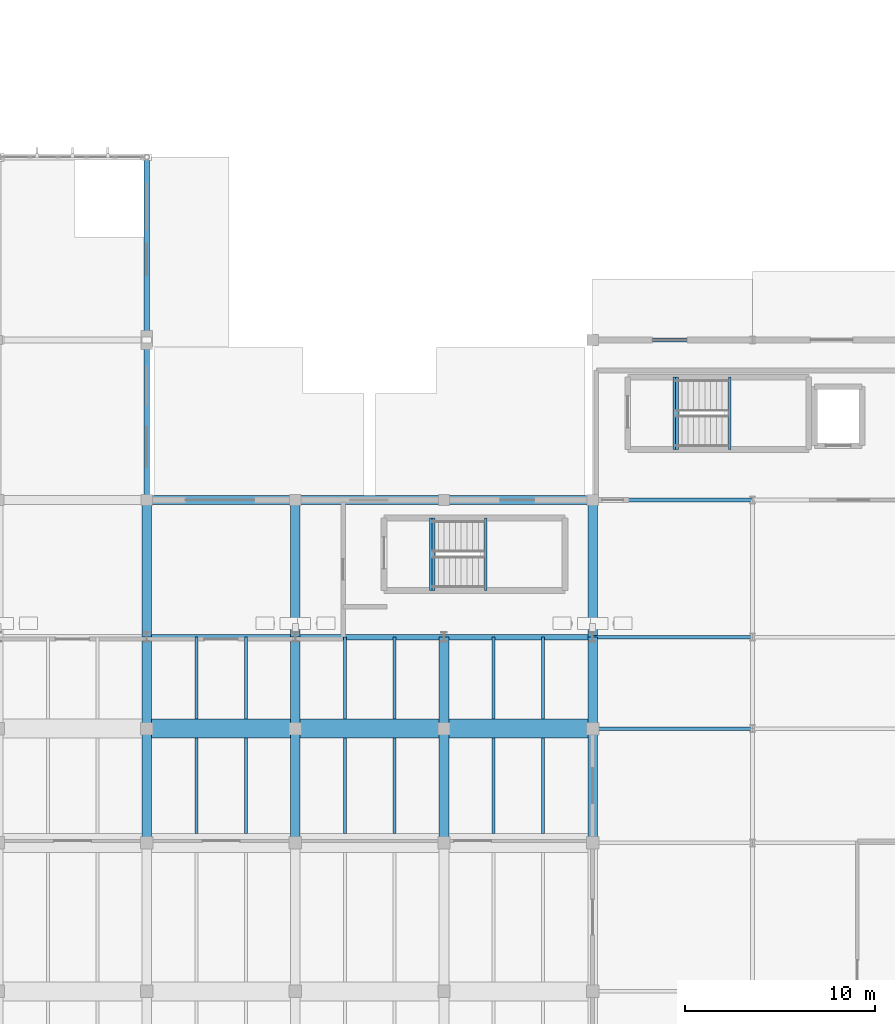
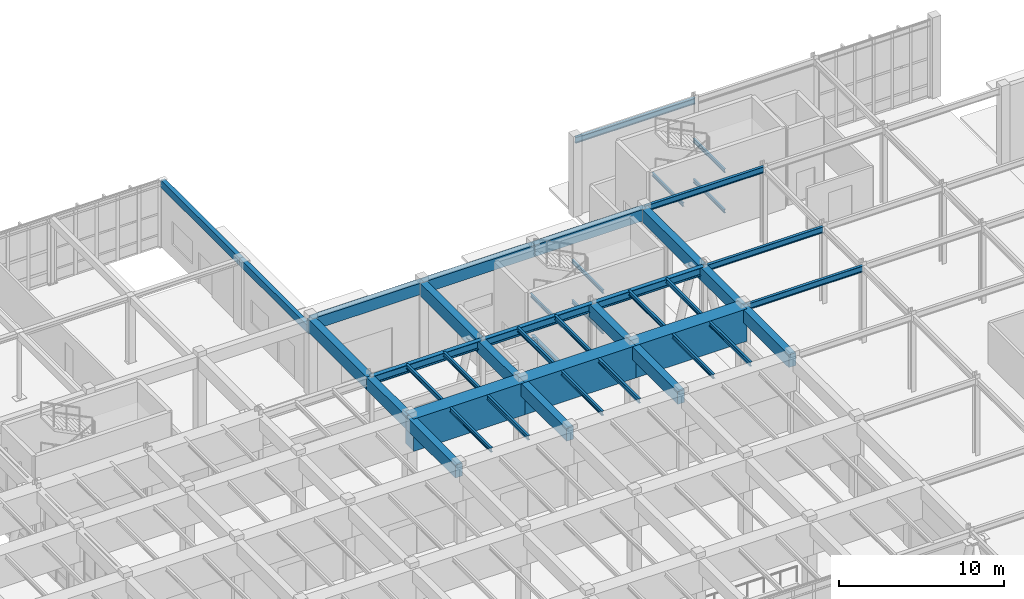
# One storey, part 43 of 110: 46 beams.
"""IFC4 building model written with IfcOpenShell, lengths in metres."""

import ifcopenshell
import ifcopenshell.guid

model = None  # the IFC model being written
_history = None  # IfcOwnerHistory: only IFC2X3 demands one
_inside = {}  # id of a spatial element -> (the spatial element, [elements in it])
_under = {}  # id of a project, library or spatial element -> (it, [spatial elements below it])
_declared = {}  # id of a project -> (the project, [libraries it declares])
_typed = {}  # id of a type object -> (the type object, [elements of that type])
_made_of = {}  # id of a material, layer set ... -> (it, [elements and type objects made of it])


def new_model(schema):
    """Start an empty IFC model of exactly this schema.

    Asked for "IFC4X3", IfcOpenShell would pick the latest addendum, in which some entities
    have other attributes; the version numbers below select the first issue.
    IFC2X3 requires an IfcOwnerHistory on every rooted entity: one is made here for all.
    """
    global model, _history
    if schema == "IFC4X3":
        model = ifcopenshell.file(schema_version=(4, 3, 0, 0))
    else:
        model = ifcopenshell.file(schema=schema)
    _inside.clear()
    _under.clear()
    _declared.clear()
    _typed.clear()
    _made_of.clear()
    _history = None
    if model.schema == "IFC2X3":
        org = make("IfcOrganization", Name="unknown")
        user = make(
            "IfcPersonAndOrganization",
            ThePerson=make("IfcPerson", FamilyName="unknown"),
            TheOrganization=org,
        )
        app = make(
            "IfcApplication",
            ApplicationDeveloper=org,
            Version="unknown",
            ApplicationFullName="unknown",
            ApplicationIdentifier="unknown",
        )
        _history = make(
            "IfcOwnerHistory",
            OwningUser=user,
            OwningApplication=app,
            ChangeAction="ADDED",
            CreationDate=0,
        )
    return model


def make(cls, **values):
    """One entity of the class cls with the attributes given. An attribute that is None is left unset."""
    return model.create_entity(
        cls, **{name: value for name, value in values.items() if value is not None}
    )


def rooted(cls, **values):
    """An entity with a GlobalId (a new one), such as an element, a storey or a relation."""
    return make(cls, GlobalId=ifcopenshell.guid.new(), OwnerHistory=_history, **values)


def si_unit(unit_type, name, prefix=None):
    """IfcSIUnit, for example si_unit("LENGTHUNIT", "METRE", prefix="MILLI")."""
    return make("IfcSIUnit", UnitType=unit_type, Prefix=prefix, Name=name)


def assignment(units):
    """IfcUnitAssignment: the units of a project."""
    return None if units is None else make("IfcUnitAssignment", Units=units)


def point(xyz):
    """IfcCartesianPoint."""
    return None if xyz is None else make("IfcCartesianPoint", Coordinates=xyz)


def direction(xyz):
    """IfcDirection."""
    return None if xyz is None else make("IfcDirection", DirectionRatios=xyz)


def frame(location, z_axis=None, x_axis=None):
    """IfcAxis2Placement3D, a coordinate frame: its origin and axes. An axis left out is left unset."""
    return make(
        "IfcAxis2Placement3D",
        Location=point(location),
        Axis=direction(z_axis),
        RefDirection=direction(x_axis),
    )


def frame_2d(location, x_axis=None):
    """IfcAxis2Placement2D, a coordinate frame in the plane: its origin and x axis."""
    return make(
        "IfcAxis2Placement2D", Location=point(location), RefDirection=direction(x_axis)
    )


def origin():
    """The frame at (0, 0, 0) with its axes left unset."""
    return frame((0.0, 0.0, 0.0))


def origin_2d():
    """The frame at (0, 0) in the plane with its x axis left unset."""
    return frame_2d((0.0, 0.0))


def place(relative_to, where):
    """IfcLocalPlacement: puts the frame where relative to a parent placement (None: the world)."""
    return make(
        "IfcLocalPlacement", PlacementRelTo=relative_to, RelativePlacement=where
    )


def context(
    kind, dimensions, precision=None, world=None, true_north=None, identifier=None
):
    """IfcGeometricRepresentationContext, for example the 3D "Model" context."""
    return make(
        "IfcGeometricRepresentationContext",
        ContextIdentifier=identifier,
        ContextType=kind,
        CoordinateSpaceDimension=dimensions,
        Precision=precision,
        WorldCoordinateSystem=world,
        TrueNorth=true_north,
    )


def subcontext(parent, identifier, kind, view, scale=None):
    """IfcGeometricRepresentationSubContext, for example "Body" below "Model"."""
    return make(
        "IfcGeometricRepresentationSubContext",
        ContextIdentifier=identifier,
        ContextType=kind,
        ParentContext=parent,
        TargetScale=scale,
        TargetView=view,
    )


def project(units=None, contexts=None):
    """IfcProject with its units and contexts."""
    return rooted(
        "IfcProject",
        Name="project",
        RepresentationContexts=contexts,
        UnitsInContext=assignment(units),
    )


def spatial(cls, under=None, at=None, **own):
    """A site, building, storey or space (cls), placed at a placement, below another one or the project."""
    s = rooted(cls, ObjectPlacement=at, **own)
    if under is not None:
        _under.setdefault(under.id(), (under, []))[1].append(s)
    return s


def profile(cls, at=None, kind="AREA", **sizes):
    """A parametric profile (cls). Its sizes go by their IFC names, for example OverallWidth=200.0."""
    return make(cls, ProfileType=kind, Position=at, **sizes)


def rectangle(**sizes):
    """IfcRectangleProfileDef."""
    return profile("IfcRectangleProfileDef", **sizes)


def i_section(**sizes):
    """IfcIShapeProfileDef."""
    return profile("IfcIShapeProfileDef", **sizes)


def extrude(swept, where, along, depth):
    """IfcExtrudedAreaSolid: the profile swept, set in the frame where, extruded along a direction by depth."""
    return make(
        "IfcExtrudedAreaSolid",
        SweptArea=swept,
        Position=where,
        ExtrudedDirection=direction(along),
        Depth=depth,
    )


def shape(context_of_items, identifier, shape_type, items):
    """IfcShapeRepresentation: the items that make up one representation, for example the "Body"."""
    return make(
        "IfcShapeRepresentation",
        ContextOfItems=context_of_items,
        RepresentationIdentifier=identifier,
        RepresentationType=shape_type,
        Items=items,
    )


def material(Name=None, Category=None):
    """IfcMaterial."""
    return make("IfcMaterial", Name=Name, Category=Category)


def material_profile(
    of_material, cross_section, Name=None, Category=None, Priority=None
):
    """IfcMaterialProfile: a cross section and its material."""
    return make(
        "IfcMaterialProfile",
        Name=Name,
        Material=of_material,
        Profile=cross_section,
        Priority=Priority,
        Category=Category,
    )


def profile_set(profiles, Name=None, composite=None):
    """IfcMaterialProfileSet."""
    return make(
        "IfcMaterialProfileSet",
        Name=Name,
        MaterialProfiles=profiles,
        CompositeProfile=composite,
    )


def made_of(thing, what):
    """Note that an element or type object is made of a material, layer set ...; save() writes the relation."""
    if what is not None:
        _made_of.setdefault(what.id(), (what, []))[1].append(thing)
    return thing


def type_object(cls, material=None, **own):
    """A type object (cls), such as IfcWallType, which elements share."""
    return made_of(rooted(cls, **own), material)


def element(
    cls,
    number,
    at=None,
    inside=None,
    cuts=None,
    type_object=None,
    material=None,
    context=None,
    identifier="Body",
    shape_type=None,
    held_by="IfcProductDefinitionShape",
    body=None,
    shapes=None,
    **own,
):
    """One element of the class cls, such as IfcWall. Its Tag is "e" and its number.

    at: its placement. inside: the storey or other place that contains it. cuts: it is an
    opening in that element (IfcRelVoidsElement). A single representation is given by context,
    identifier, shape_type and body (its items); several are given by shapes. held_by: the class
    of the entity that holds the representations. save() writes the other relations.
    """
    e = rooted(cls, Tag="e%d" % number, ObjectPlacement=at, **own)
    if body is not None:
        shapes = [shape(context, identifier, shape_type, body)]
    if shapes is not None:
        e.Representation = make(held_by, Representations=shapes)
    if inside is not None:
        _inside.setdefault(inside.id(), (inside, []))[1].append(e)
    if cuts is not None:
        rooted(
            "IfcRelVoidsElement", RelatingBuildingElement=cuts, RelatedOpeningElement=e
        )
    if type_object is not None:
        _typed.setdefault(type_object.id(), (type_object, []))[1].append(e)
    return made_of(e, material)


def aggregate(whole, parts):
    """IfcRelAggregates: a whole, such as a stair, and the parts it consists of."""
    return rooted("IfcRelAggregates", RelatingObject=whole, RelatedObjects=parts)


def save(model, path):
    """Write the relations noted so far, then the file.

    IfcRelAggregates (storeys below a building ...), IfcRelContainedInSpatialStructure (elements
    in a storey), IfcRelDefinesByType, IfcRelAssociatesMaterial and IfcRelDeclares: one each for
    every whole, place, type object, material and project.
    """
    for whole, parts in _under.values():
        aggregate(whole, parts)
    for where, things in _inside.values():
        rooted(
            "IfcRelContainedInSpatialStructure",
            RelatedElements=things,
            RelatingStructure=where,
        )
    for kind, things in _typed.values():
        rooted("IfcRelDefinesByType", RelatedObjects=things, RelatingType=kind)
    for what, things in _made_of.values():
        rooted("IfcRelAssociatesMaterial", RelatedObjects=things, RelatingMaterial=what)
    for by, libraries in _declared.values():
        rooted("IfcRelDeclares", RelatingContext=by, RelatedDefinitions=libraries)
    model.write(path)


model = new_model("IFC4")

# Units and contexts
model_context = context("Model", 3, precision=1e-05, world=origin(), true_north=direction((0.0, 1.0)))
body_context = subcontext(model_context, "Body", "Model", "MODEL_VIEW")
ifc_project = project(units=[si_unit("LENGTHUNIT", "METRE"), si_unit("AREAUNIT", "SQUARE_METRE"), si_unit("VOLUMEUNIT", "CUBIC_METRE"), si_unit("PLANEANGLEUNIT", "RADIAN"), si_unit("MASSUNIT", "GRAM", prefix="KILO")], contexts=[model_context])

# Site, building, storey
site_placement = place(None, origin())
site = spatial("IfcSite", under=ifc_project, at=site_placement, CompositionType="ELEMENT")
building_placement = place(site_placement, origin())
building = spatial("IfcBuilding", under=site, at=building_placement, Name="Tizgana Railside Sports Hall", CompositionType="ELEMENT")
storey_placement = place(building_placement, origin())
storey = spatial("IfcBuildingStorey", under=building, at=storey_placement, Name="L00", CompositionType="ELEMENT", Elevation=0.0)

# Beams
ifc_material_1 = material(Name="Concrete C35/45", Category="concrete")
ifc_material_profile_1 = material_profile(ifc_material_1, rectangle(XDim=0.300048828125, YDim=0.550048828125, at=origin_2d()), Name="RCB 300x550")
ifc_profile_set_1 = profile_set([ifc_material_profile_1], Name="Concrete C35/45")
beam_type_1 = type_object("IfcBeamType", Name="Concrete Beam RCB 300x550", PredefinedType="BEAM", material=ifc_profile_set_1)
beam_1_placement = place(storey_placement, frame((31.199951171875, 80.39990234375, 4.680908203125), z_axis=(0.0, 1.0, 0.0), x_axis=(-1.0, 0.0, 0.0)))
element("IfcBeam", 1, at=beam_1_placement, inside=storey, type_object=beam_type_1, Name="L00 BEM-1313", PredefinedType="BEAM", context=body_context, shape_type="SweptSolid", body=[
    extrude(rectangle(XDim=0.300048828125, YDim=0.550048828125, at=origin_2d()), origin(), (0.0, 0.0, 1.0), 8.400146484375),
])
beam_2_placement = place(storey_placement, frame((31.199951171875, 88.800048828125, 4.680908203125), z_axis=(0.0, 1.0, 0.0), x_axis=(-1.0, 0.0, 0.0)))
element("IfcBeam", 2, at=beam_2_placement, inside=storey, type_object=beam_type_1, Name="L00 BEM-1315", PredefinedType="BEAM", context=body_context, shape_type="SweptSolid", body=[
    extrude(rectangle(XDim=0.300048828125, YDim=0.550048828125, at=origin_2d()), origin(), (0.0, 0.0, 1.0), 9.599853515625),
])
ifc_material_2 = material(Name="Concrete C40/50", Category="concrete")
ifc_material_profile_2 = material_profile(ifc_material_2, rectangle(XDim=0.449951171875, YDim=0.85009765625, at=origin_2d()), Name="RCB 450x850")
ifc_profile_set_2 = profile_set([ifc_material_profile_2], Name="Concrete C40/50")
beam_type_2 = type_object("IfcBeamType", Name="Concrete Beam RCB 450x850", PredefinedType="BEAM", material=ifc_profile_set_2)
for number, where, z_axis, x_axis, name in (
    (3, (31.199951171875, 80.39990234375, 5.2109375), (1.0, 0.0, 0.0), (0.0, 1.0, 0.0), "L00 BEM-0130"),
    (4, (39.0, 80.39990234375, 5.2109375), (1.0, 0.0, 0.0), (0.0, 1.0, 0.0), "L00 BEM-0131"),
    (5, (46.800048828125, 80.39990234375, 5.2109375), (1.0, 0.0, 0.0), (0.0, 1.0, 0.0), "L00 BEM-0132"),
):
    element("IfcBeam", number, at=place(storey_placement, frame(where, z_axis=z_axis, x_axis=x_axis)), inside=storey, type_object=beam_type_2, Name=name, PredefinedType="BEAM", context=body_context, shape_type="SweptSolid", body=[
        extrude(rectangle(XDim=0.449951171875, YDim=0.85009765625, at=origin_2d()), origin(), (0.0, 0.0, 1.0), 7.800048828125),
    ])
ifc_material_profile_3 = material_profile(ifc_material_2, rectangle(XDim=0.5, YDim=0.949951171875, at=origin_2d()), Name="RCB 500x950")
ifc_profile_set_3 = profile_set([ifc_material_profile_3], Name="Concrete C40/50")
beam_type_3 = type_object("IfcBeamType", Name="Concrete Beam RCB 500x950", PredefinedType="BEAM", material=ifc_profile_set_3)
beam_3_placement = place(storey_placement, frame((31.199951171875, 62.39990234375, 5.160888671875), z_axis=(0.0, 1.0, 0.0), x_axis=(-1.0, 0.0, 0.0)))
element("IfcBeam", 6, at=beam_3_placement, inside=storey, type_object=beam_type_3, Name="L00 BEM-0158", PredefinedType="BEAM", context=body_context, shape_type="SweptSolid", body=[
    extrude(rectangle(XDim=0.5, YDim=0.949951171875, at=origin_2d()), origin(), (0.0, 0.0, 1.0), 6.0),
])
beam_4_placement = place(storey_placement, frame((31.199951171875, 68.39990234375, 5.160888671875), z_axis=(0.0, 1.0, 0.0), x_axis=(-1.0, 0.0, 0.0)))
element("IfcBeam", 7, at=beam_4_placement, inside=storey, type_object=beam_type_3, Name="L00 BEM-0159", PredefinedType="BEAM", context=body_context, shape_type="SweptSolid", body=[
    extrude(rectangle(XDim=0.5, YDim=0.949951171875, at=origin_2d()), origin(), (0.0, 0.0, 1.0), 4.800048828125),
])
beam_5_placement = place(storey_placement, frame((31.199951171875, 73.199951171875, 5.160888671875), z_axis=(0.0, 1.0, 0.0), x_axis=(-1.0, 0.0, 0.0)))
element("IfcBeam", 8, at=beam_5_placement, inside=storey, type_object=beam_type_3, Name="L00 BEM-0160", PredefinedType="BEAM", context=body_context, shape_type="SweptSolid", body=[
    extrude(rectangle(XDim=0.5, YDim=0.949951171875, at=origin_2d()), origin(), (0.0, 0.0, 1.0), 7.199951171875),
])
beam_6_placement = place(storey_placement, frame((39.0, 62.39990234375, 5.160888671875), z_axis=(0.0, 1.0, 0.0), x_axis=(-1.0, 0.0, 0.0)))
element("IfcBeam", 9, at=beam_6_placement, inside=storey, type_object=beam_type_3, Name="L00 BEM-0164", PredefinedType="BEAM", context=body_context, shape_type="SweptSolid", body=[
    extrude(rectangle(XDim=0.5, YDim=0.949951171875, at=origin_2d()), origin(), (0.0, 0.0, 1.0), 6.0),
])
beam_7_placement = place(storey_placement, frame((39.0, 68.39990234375, 5.160888671875), z_axis=(0.0, 1.0, 0.0), x_axis=(-1.0, 0.0, 0.0)))
element("IfcBeam", 10, at=beam_7_placement, inside=storey, type_object=beam_type_3, Name="L00 BEM-0165", PredefinedType="BEAM", context=body_context, shape_type="SweptSolid", body=[
    extrude(rectangle(XDim=0.5, YDim=0.949951171875, at=origin_2d()), origin(), (0.0, 0.0, 1.0), 4.800048828125),
])
beam_8_placement = place(storey_placement, frame((39.0, 73.199951171875, 5.160888671875), z_axis=(0.0, 1.0, 0.0), x_axis=(-1.0, 0.0, 0.0)))
element("IfcBeam", 11, at=beam_8_placement, inside=storey, type_object=beam_type_3, Name="L00 BEM-0166", PredefinedType="BEAM", context=body_context, shape_type="SweptSolid", body=[
    extrude(rectangle(XDim=0.5, YDim=0.949951171875, at=origin_2d()), origin(), (0.0, 0.0, 1.0), 7.199951171875),
])
beam_9_placement = place(storey_placement, frame((46.800048828125, 62.39990234375, 5.160888671875), z_axis=(0.0, 1.0, 0.0), x_axis=(-1.0, 0.0, 0.0)))
element("IfcBeam", 12, at=beam_9_placement, inside=storey, type_object=beam_type_3, Name="L00 BEM-0170", PredefinedType="BEAM", context=body_context, shape_type="SweptSolid", body=[
    extrude(rectangle(XDim=0.5, YDim=0.949951171875, at=origin_2d()), origin(), (0.0, 0.0, 1.0), 6.0),
])
beam_10_placement = place(storey_placement, frame((46.800048828125, 68.39990234375, 5.160888671875), z_axis=(0.0, 1.0, 0.0), x_axis=(-1.0, 0.0, 0.0)))
element("IfcBeam", 13, at=beam_10_placement, inside=storey, type_object=beam_type_3, Name="L00 BEM-0171", PredefinedType="BEAM", context=body_context, shape_type="SweptSolid", body=[
    extrude(rectangle(XDim=0.5, YDim=0.949951171875, at=origin_2d()), origin(), (0.0, 0.0, 1.0), 4.800048828125),
])
beam_11_placement = place(storey_placement, frame((54.60009765625, 62.39990234375, 5.160888671875), z_axis=(0.0, 1.0, 0.0), x_axis=(-1.0, 0.0, 0.0)))
element("IfcBeam", 14, at=beam_11_placement, inside=storey, type_object=beam_type_3, Name="L00 BEM-0175", PredefinedType="BEAM", context=body_context, shape_type="SweptSolid", body=[
    extrude(rectangle(XDim=0.5, YDim=0.949951171875, at=origin_2d()), origin(), (0.0, 0.0, 1.0), 6.0),
])
beam_12_placement = place(storey_placement, frame((54.60009765625, 68.39990234375, 5.160888671875), z_axis=(0.0, 1.0, 0.0), x_axis=(-1.0, 0.0, 0.0)))
element("IfcBeam", 15, at=beam_12_placement, inside=storey, type_object=beam_type_3, Name="L00 BEM-0176", PredefinedType="BEAM", context=body_context, shape_type="SweptSolid", body=[
    extrude(rectangle(XDim=0.5, YDim=0.949951171875, at=origin_2d()), origin(), (0.0, 0.0, 1.0), 4.800048828125),
])
beam_13_placement = place(storey_placement, frame((54.60009765625, 73.199951171875, 5.160888671875), z_axis=(0.0, 1.0, 0.0), x_axis=(-1.0, 0.0, 0.0)))
element("IfcBeam", 16, at=beam_13_placement, inside=storey, type_object=beam_type_3, Name="L00 BEM-0177", PredefinedType="BEAM", context=body_context, shape_type="SweptSolid", body=[
    extrude(rectangle(XDim=0.5, YDim=0.949951171875, at=origin_2d()), origin(), (0.0, 0.0, 1.0), 7.199951171875),
])
ifc_material_profile_4 = material_profile(ifc_material_2, rectangle(XDim=1.0, YDim=2.39990234375, at=origin_2d()), Name="PTG 1000x2400")
ifc_profile_set_4 = profile_set([ifc_material_profile_4], Name="Concrete C40/50")
beam_type_4 = type_object("IfcBeamType", Name="Post-Tensioned Girder PTG 1000x2400", PredefinedType="BEAM", material=ifc_profile_set_4)
for number, where, z_axis, x_axis, name in (
    (17, (31.199951171875, 68.39990234375, 4.43603515625), (1.0, 0.0, 0.0), (0.0, 1.0, 0.0), "L00 BEM-0118"),
    (18, (39.0, 68.39990234375, 4.43603515625), (1.0, 0.0, 0.0), (0.0, 1.0, 0.0), "L00 BEM-0119"),
    (19, (46.800048828125, 68.39990234375, 4.43603515625), (1.0, 0.0, 0.0), (0.0, 1.0, 0.0), "L00 BEM-0120"),
):
    element("IfcBeam", number, at=place(storey_placement, frame(where, z_axis=z_axis, x_axis=x_axis)), inside=storey, type_object=beam_type_4, Name=name, PredefinedType="BEAM", context=body_context, shape_type="SweptSolid", body=[
        extrude(rectangle(XDim=1.0, YDim=2.39990234375, at=origin_2d()), origin(), (0.0, 0.0, 1.0), 7.800048828125),
    ])
ifc_material_3 = material(Name="Steel S355J2", Category="steel")
ifc_material_profile_5 = material_profile(ifc_material_3, i_section(OverallWidth=0.1298828125, OverallDepth=0.27001953125, WebThickness=0.006591796875, FlangeThickness=0.01025390625, FilletRadius=0.014892578125, at=origin_2d()), Name="IPE 270")
ifc_profile_set_5 = profile_set([ifc_material_profile_5], Name="Steel S355J2")
beam_type_5 = type_object("IfcBeamType", Name="Stair Mid-Landing Header IPE 270", PredefinedType="JOIST", material=ifc_profile_set_5)
for number, where, z_axis, x_axis, name in (
    (20, (61.800048828125, 83.050048828125, 1.1630859375), (0.0, 1.0, 0.0), (-1.0, 0.0, 0.0), "L00 C4 Mid Header 1"),
    (21, (58.89990234375, 83.050048828125, 2.6630859375), (0.0, 1.0, 0.0), (-1.0, 0.0, 0.0), "L00 C4 Mid Header 2"),
    (22, (61.800048828125, 83.050048828125, 4.1630859375), (0.0, 1.0, 0.0), (-1.0, 0.0, 0.0), "L00 C4 Mid Header 3"),
    (23, (49.0, 75.64990234375, 1.1630859375), (0.0, 1.0, 0.0), (-1.0, 0.0, 0.0), "L00 C6 Mid Header 1"),
    (24, (46.10009765625, 75.64990234375, 2.6630859375), (0.0, 1.0, 0.0), (-1.0, 0.0, 0.0), "L00 C6 Mid Header 2"),
    (25, (49.0, 75.64990234375, 4.1630859375), (0.0, 1.0, 0.0), (-1.0, 0.0, 0.0), "L00 C6 Mid Header 3"),
):
    element("IfcBeam", number, at=place(storey_placement, frame(where, z_axis=z_axis, x_axis=x_axis)), inside=storey, type_object=beam_type_5, Name=name, PredefinedType="JOIST", context=body_context, shape_type="SweptSolid", body=[
        extrude(i_section(OverallWidth=0.1298828125, OverallDepth=0.27001953125, WebThickness=0.006591796875, FlangeThickness=0.01025390625, FilletRadius=0.014892578125, at=origin_2d()), origin(), (0.0, 0.0, 1.0), 3.800048828125),
    ])
ifc_material_profile_6 = material_profile(ifc_material_3, i_section(OverallWidth=0.239990234375, OverallDepth=0.239990234375, WebThickness=0.010009765625, FlangeThickness=0.01708984375, FilletRadius=0.02099609375, at=origin_2d()), Name="HEB 240")
ifc_profile_set_6 = profile_set([ifc_material_profile_6], Name="Steel S355J2")
beam_type_6 = type_object("IfcBeamType", Name="Steel Beam HEB 240", PredefinedType="BEAM", material=ifc_profile_set_6)
for number, where, z_axis, x_axis, name in (
    (26, (59.0, 83.050048828125, -0.44189453125), (0.0, 1.0, 0.0), (-1.0, 0.0, 0.0), "L00 C4 Landing Header"),
    (27, (46.199951171875, 75.64990234375, -0.44189453125), (0.0, 1.0, 0.0), (-1.0, 0.0, 0.0), "L00 C6 Landing Header"),
):
    element("IfcBeam", number, at=place(storey_placement, frame(where, z_axis=z_axis, x_axis=x_axis)), inside=storey, type_object=beam_type_6, Name=name, PredefinedType="BEAM", context=body_context, shape_type="SweptSolid", body=[
        extrude(i_section(OverallWidth=0.239990234375, OverallDepth=0.239990234375, WebThickness=0.010009765625, FlangeThickness=0.01708984375, FilletRadius=0.02099609375, at=origin_2d()), origin(), (0.0, 0.0, 1.0), 3.800048828125),
    ])
ifc_material_profile_7 = material_profile(ifc_material_3, i_section(OverallWidth=0.300048828125, OverallDepth=0.60009765625, WebThickness=0.015380859375, FlangeThickness=0.030029296875, FilletRadius=0.027099609375, at=origin_2d()), Name="HEB 600")
ifc_profile_set_7 = profile_set([ifc_material_profile_7], Name="Steel S355J2")
beam_type_7 = type_object("IfcBeamType", Name="Steel Beam HEB 600", PredefinedType="BEAM", material=ifc_profile_set_7)
for number, where, z_axis, x_axis, name in (
    (28, (31.199951171875, 73.199951171875, 5.3359375), (1.0, 0.0, 0.0), (0.0, 1.0, 0.0), "L00 BEM-0124"),
    (29, (39.0, 73.199951171875, 5.3359375), (1.0, 0.0, 0.0), (0.0, 1.0, 0.0), "L00 BEM-0125"),
    (30, (46.800048828125, 73.199951171875, 5.3359375), (1.0, 0.0, 0.0), (0.0, 1.0, 0.0), "L00 BEM-0126"),
):
    element("IfcBeam", number, at=place(storey_placement, frame(where, z_axis=z_axis, x_axis=x_axis)), inside=storey, type_object=beam_type_7, Name=name, PredefinedType="BEAM", context=body_context, shape_type="SweptSolid", body=[
        extrude(i_section(OverallWidth=0.300048828125, OverallDepth=0.60009765625, WebThickness=0.015380859375, FlangeThickness=0.030029296875, FilletRadius=0.027099609375, at=origin_2d()), origin(), (0.0, 0.0, 1.0), 7.800048828125),
    ])
ifc_material_profile_8 = material_profile(ifc_material_3, i_section(OverallWidth=0.18994140625, OverallDepth=0.449951171875, WebThickness=0.009521484375, FlangeThickness=0.0146484375, FilletRadius=0.02099609375, at=origin_2d()), Name="IPE 450")
ifc_profile_set_8 = profile_set([ifc_material_profile_8], Name="Steel S355J2")
beam_type_8 = type_object("IfcBeamType", Name="Steel Beam IPE 450", PredefinedType="BEAM", material=ifc_profile_set_8)
for number, where, z_axis, x_axis, name in (
    (31, (54.60009765625, 68.39990234375, 5.410888671875), (1.0, 0.0, 0.0), (0.0, 1.0, 0.0), "L00 BEM-0931"),
    (32, (54.60009765625, 73.199951171875, 5.410888671875), (1.0, 0.0, 0.0), (0.0, 1.0, 0.0), "L00 BEM-0932"),
    (33, (54.60009765625, 80.39990234375, 5.5009765625), (1.0, 0.0, 0.0), (0.0, 1.0, 0.0), "L00 BEM-0933"),
    (34, (54.60009765625, 88.800048828125, 5.5009765625), (1.0, 0.0, 0.0), (0.0, 1.0, 0.0), "L00 BEM-0934"),
):
    element("IfcBeam", number, at=place(storey_placement, frame(where, z_axis=z_axis, x_axis=x_axis)), inside=storey, type_object=beam_type_8, Name=name, PredefinedType="BEAM", context=body_context, shape_type="SweptSolid", body=[
        extrude(i_section(OverallWidth=0.18994140625, OverallDepth=0.449951171875, WebThickness=0.009521484375, FlangeThickness=0.0146484375, FilletRadius=0.02099609375, at=origin_2d()), origin(), (0.0, 0.0, 1.0), 8.39990234375),
    ])
ifc_material_profile_9 = material_profile(ifc_material_3, i_section(OverallWidth=0.159912109375, OverallDepth=0.330078125, WebThickness=0.007568359375, FlangeThickness=0.011474609375, FilletRadius=0.01806640625, at=origin_2d()), Name="IPE 330")
ifc_profile_set_9 = profile_set([ifc_material_profile_9], Name="Steel S355J2")
beam_type_9 = type_object("IfcBeamType", Name="Steel Joist IPE 330", PredefinedType="JOIST", material=ifc_profile_set_9)
beam_14_placement = place(storey_placement, frame((33.800048828125, 62.89501953125, 5.470947265625), z_axis=(0.0, 1.0, 0.0), x_axis=(-1.0, 0.0, 0.0)))
element("IfcBeam", 35, at=beam_14_placement, inside=storey, type_object=beam_type_9, Name="L00 BEM-0221", PredefinedType="JOIST", context=body_context, shape_type="SweptSolid", body=[
    extrude(i_section(OverallWidth=0.159912109375, OverallDepth=0.330078125, WebThickness=0.007568359375, FlangeThickness=0.011474609375, FilletRadius=0.01806640625, at=origin_2d()), origin(), (0.0, 0.0, 1.0), 5.010009765625),
])
beam_15_placement = place(storey_placement, frame((33.800048828125, 68.89501953125, 5.470947265625), z_axis=(0.0, 1.0, 0.0), x_axis=(-1.0, 0.0, 0.0)))
element("IfcBeam", 36, at=beam_15_placement, inside=storey, type_object=beam_type_9, Name="L00 BEM-0222", PredefinedType="JOIST", context=body_context, shape_type="SweptSolid", body=[
    extrude(i_section(OverallWidth=0.159912109375, OverallDepth=0.330078125, WebThickness=0.007568359375, FlangeThickness=0.011474609375, FilletRadius=0.01806640625, at=origin_2d()), origin(), (0.0, 0.0, 1.0), 4.304931640625),
])
beam_16_placement = place(storey_placement, frame((36.39990234375, 62.89501953125, 5.470947265625), z_axis=(0.0, 1.0, 0.0), x_axis=(-1.0, 0.0, 0.0)))
element("IfcBeam", 37, at=beam_16_placement, inside=storey, type_object=beam_type_9, Name="L00 BEM-0226", PredefinedType="JOIST", context=body_context, shape_type="SweptSolid", body=[
    extrude(i_section(OverallWidth=0.159912109375, OverallDepth=0.330078125, WebThickness=0.007568359375, FlangeThickness=0.011474609375, FilletRadius=0.01806640625, at=origin_2d()), origin(), (0.0, 0.0, 1.0), 5.010009765625),
])
beam_17_placement = place(storey_placement, frame((36.39990234375, 68.89501953125, 5.470947265625), z_axis=(0.0, 1.0, 0.0), x_axis=(-1.0, 0.0, 0.0)))
element("IfcBeam", 38, at=beam_17_placement, inside=storey, type_object=beam_type_9, Name="L00 BEM-0227", PredefinedType="JOIST", context=body_context, shape_type="SweptSolid", body=[
    extrude(i_section(OverallWidth=0.159912109375, OverallDepth=0.330078125, WebThickness=0.007568359375, FlangeThickness=0.011474609375, FilletRadius=0.01806640625, at=origin_2d()), origin(), (0.0, 0.0, 1.0), 4.304931640625),
])
beam_18_placement = place(storey_placement, frame((41.60009765625, 62.89501953125, 5.470947265625), z_axis=(0.0, 1.0, 0.0), x_axis=(-1.0, 0.0, 0.0)))
element("IfcBeam", 39, at=beam_18_placement, inside=storey, type_object=beam_type_9, Name="L00 BEM-0231", PredefinedType="JOIST", context=body_context, shape_type="SweptSolid", body=[
    extrude(i_section(OverallWidth=0.159912109375, OverallDepth=0.330078125, WebThickness=0.007568359375, FlangeThickness=0.011474609375, FilletRadius=0.01806640625, at=origin_2d()), origin(), (0.0, 0.0, 1.0), 5.010009765625),
])
beam_19_placement = place(storey_placement, frame((41.60009765625, 68.89501953125, 5.470947265625), z_axis=(0.0, 1.0, 0.0), x_axis=(-1.0, 0.0, 0.0)))
element("IfcBeam", 40, at=beam_19_placement, inside=storey, type_object=beam_type_9, Name="L00 BEM-0232", PredefinedType="JOIST", context=body_context, shape_type="SweptSolid", body=[
    extrude(i_section(OverallWidth=0.159912109375, OverallDepth=0.330078125, WebThickness=0.007568359375, FlangeThickness=0.011474609375, FilletRadius=0.01806640625, at=origin_2d()), origin(), (0.0, 0.0, 1.0), 4.304931640625),
])
beam_20_placement = place(storey_placement, frame((44.199951171875, 62.89501953125, 5.470947265625), z_axis=(0.0, 1.0, 0.0), x_axis=(-1.0, 0.0, 0.0)))
element("IfcBeam", 41, at=beam_20_placement, inside=storey, type_object=beam_type_9, Name="L00 BEM-0236", PredefinedType="JOIST", context=body_context, shape_type="SweptSolid", body=[
    extrude(i_section(OverallWidth=0.159912109375, OverallDepth=0.330078125, WebThickness=0.007568359375, FlangeThickness=0.011474609375, FilletRadius=0.01806640625, at=origin_2d()), origin(), (0.0, 0.0, 1.0), 5.010009765625),
])
beam_21_placement = place(storey_placement, frame((44.199951171875, 68.89501953125, 5.470947265625), z_axis=(0.0, 1.0, 0.0), x_axis=(-1.0, 0.0, 0.0)))
element("IfcBeam", 42, at=beam_21_placement, inside=storey, type_object=beam_type_9, Name="L00 BEM-0237", PredefinedType="JOIST", context=body_context, shape_type="SweptSolid", body=[
    extrude(i_section(OverallWidth=0.159912109375, OverallDepth=0.330078125, WebThickness=0.007568359375, FlangeThickness=0.011474609375, FilletRadius=0.01806640625, at=origin_2d()), origin(), (0.0, 0.0, 1.0), 4.304931640625),
])
beam_22_placement = place(storey_placement, frame((49.39990234375, 62.89501953125, 5.470947265625), z_axis=(0.0, 1.0, 0.0), x_axis=(-1.0, 0.0, 0.0)))
element("IfcBeam", 43, at=beam_22_placement, inside=storey, type_object=beam_type_9, Name="L00 BEM-0241", PredefinedType="JOIST", context=body_context, shape_type="SweptSolid", body=[
    extrude(i_section(OverallWidth=0.159912109375, OverallDepth=0.330078125, WebThickness=0.007568359375, FlangeThickness=0.011474609375, FilletRadius=0.01806640625, at=origin_2d()), origin(), (0.0, 0.0, 1.0), 5.010009765625),
])
beam_23_placement = place(storey_placement, frame((49.39990234375, 68.89501953125, 5.470947265625), z_axis=(0.0, 1.0, 0.0), x_axis=(-1.0, 0.0, 0.0)))
element("IfcBeam", 44, at=beam_23_placement, inside=storey, type_object=beam_type_9, Name="L00 BEM-0242", PredefinedType="JOIST", context=body_context, shape_type="SweptSolid", body=[
    extrude(i_section(OverallWidth=0.159912109375, OverallDepth=0.330078125, WebThickness=0.007568359375, FlangeThickness=0.011474609375, FilletRadius=0.01806640625, at=origin_2d()), origin(), (0.0, 0.0, 1.0), 4.304931640625),
])
beam_24_placement = place(storey_placement, frame((52.0, 62.89501953125, 5.470947265625), z_axis=(0.0, 1.0, 0.0), x_axis=(-1.0, 0.0, 0.0)))
element("IfcBeam", 45, at=beam_24_placement, inside=storey, type_object=beam_type_9, Name="L00 BEM-0246", PredefinedType="JOIST", context=body_context, shape_type="SweptSolid", body=[
    extrude(i_section(OverallWidth=0.159912109375, OverallDepth=0.330078125, WebThickness=0.007568359375, FlangeThickness=0.011474609375, FilletRadius=0.01806640625, at=origin_2d()), origin(), (0.0, 0.0, 1.0), 5.010009765625),
])
beam_25_placement = place(storey_placement, frame((52.0, 68.89501953125, 5.470947265625), z_axis=(0.0, 1.0, 0.0), x_axis=(-1.0, 0.0, 0.0)))
element("IfcBeam", 46, at=beam_25_placement, inside=storey, type_object=beam_type_9, Name="L00 BEM-0247", PredefinedType="JOIST", context=body_context, shape_type="SweptSolid", body=[
    extrude(i_section(OverallWidth=0.159912109375, OverallDepth=0.330078125, WebThickness=0.007568359375, FlangeThickness=0.011474609375, FilletRadius=0.01806640625, at=origin_2d()), origin(), (0.0, 0.0, 1.0), 4.304931640625),
])

save(model, "model.ifc")
